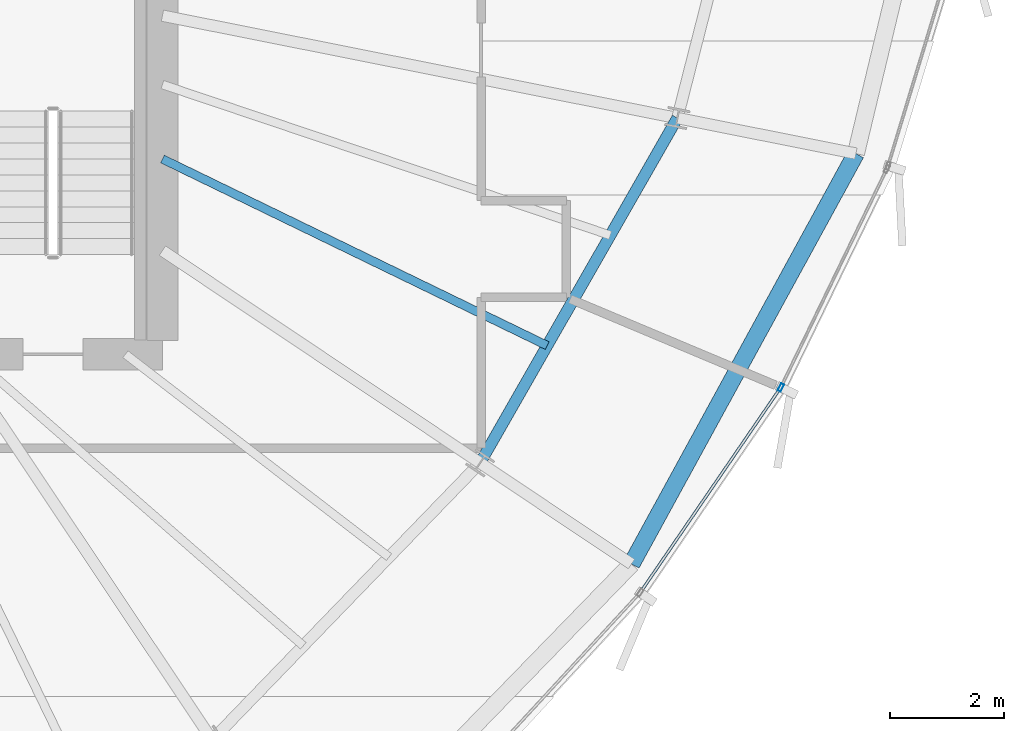
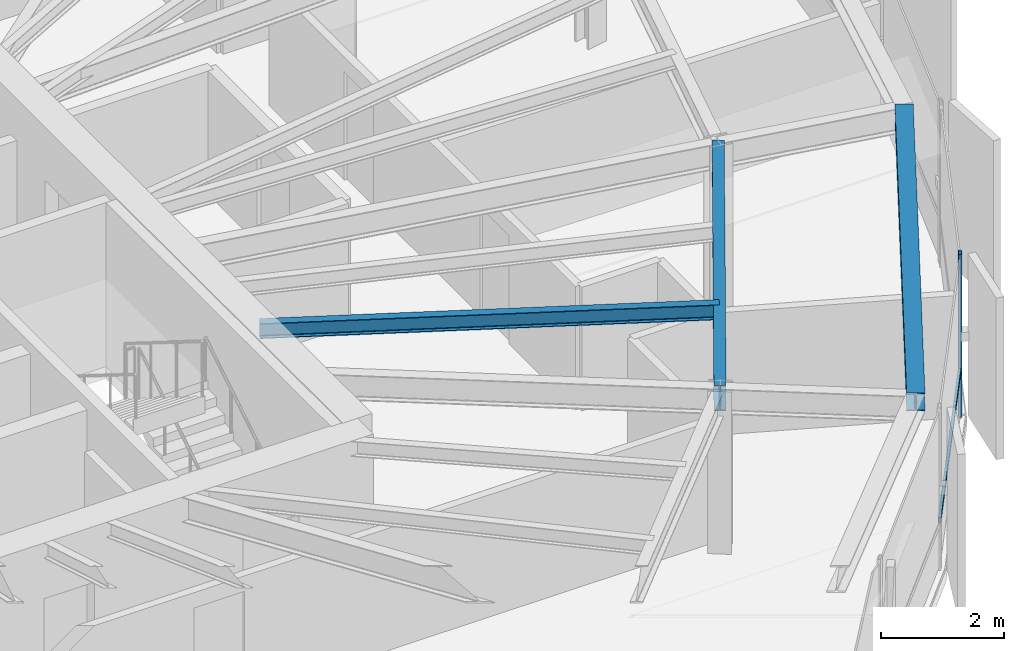
# One storey, part 13 of 34: 3 beams, 2 members, 1 element without a shape of its own.
"""IFC4 building model written with IfcOpenShell, lengths in metres."""

from ifc_helpers import new_model, si_unit, direction, frame, origin, origin_2d, place, context, subcontext, project, spatial, hollow_rectangle, i_section, extrude, source, transform, mapped, material, layer, layer_set, material_profile, profile_set, type_object, element, aggregate, save


model = new_model("IFC4")

# Units and contexts
model_context = context("Model", 3, precision=1e-05, world=origin(), true_north=direction((0.0, 1.0)))
body_context = subcontext(model_context, "Body", "Model", "MODEL_VIEW")
ifc_project = project(units=[si_unit("LENGTHUNIT", "METRE"), si_unit("AREAUNIT", "SQUARE_METRE"), si_unit("VOLUMEUNIT", "CUBIC_METRE"), si_unit("PLANEANGLEUNIT", "RADIAN"), si_unit("MASSUNIT", "GRAM", prefix="KILO"), si_unit("THERMODYNAMICTEMPERATUREUNIT", "KELVIN")], contexts=[model_context])

# Site, building, storey
site_placement = place(None, origin())
site = spatial("IfcSite", under=ifc_project, at=site_placement, CompositionType="ELEMENT")
building_placement = place(site_placement, origin())
building = spatial("IfcBuilding", under=site, at=building_placement, Name="Kethvar Cultural Tower", CompositionType="ELEMENT")
storey_placement = place(building_placement, frame((0.0, 0.0, 207.89990234375)))
storey = spatial("IfcBuildingStorey", under=building, at=storey_placement, Name="L54", CompositionType="ELEMENT", Elevation=207.89990234375)

# Beams
ifc_material_1 = material(Name="Steel S355J2", Category="steel")
ifc_material_profile_1 = material_profile(ifc_material_1, i_section(OverallWidth=0.199951171875, OverallDepth=0.5, WebThickness=0.01025390625, FlangeThickness=0.01611328125, FilletRadius=0.02099609375, at=origin_2d()), Name="Steel S355J2 — IPE500")
ifc_profile_set_1 = profile_set([ifc_material_profile_1], Name="Steel S355J2 — IPE500")
beam_type_1 = type_object("IfcBeamType", Name="BM-IPE500", PredefinedType="BEAM", material=ifc_profile_set_1)
shared_shape_1 = source(origin(), body_context, "Body", "SweptSolid", [
    extrude(i_section(OverallWidth=0.199951171875, OverallDepth=0.5, WebThickness=0.01025390625, FlangeThickness=0.01611328125, FilletRadius=0.02099609375, at=origin_2d()), origin(), (0.0, 0.0, 1.0), 6.98095703125),
])
beam_1_placement = place(storey_placement, frame((61.1826171875, 18.18994140625, 3.008056640625), z_axis=(0.496496686118, 0.868038617041, 0.0), x_axis=(-0.868038617041, 0.496496686118, 0.0)))
element("IfcBeam", 1, at=beam_1_placement, inside=storey, type_object=beam_type_1, Name="L54 Column Ring Tie Beam CR-15", PredefinedType="BEAM", context=body_context, shape_type="MappedRepresentation", body=[
    mapped(shared_shape_1, transform((0.0, 0.0, 0.0), scale=1.0)),
])
ifc_material_profile_2 = material_profile(ifc_material_1, i_section(OverallWidth=0.300048828125, OverallDepth=0.360107421875, WebThickness=0.012451171875, FlangeThickness=0.0224609375, FilletRadius=0.027099609375, at=origin_2d()), Name="Steel S355J2 — HEB360")
ifc_profile_set_2 = profile_set([ifc_material_profile_2], Name="Steel S355J2 — HEB360")
beam_type_2 = type_object("IfcBeamType", Name="BM-SP360", PredefinedType="SPANDREL", material=ifc_profile_set_2)
shared_shape_2 = source(origin(), body_context, "Body", "SweptSolid", [
    extrude(i_section(OverallWidth=0.300048828125, OverallDepth=0.360107421875, WebThickness=0.012451171875, FlangeThickness=0.0224609375, FilletRadius=0.027099609375, at=origin_2d()), origin(), (0.0, 0.0, 1.0), 8.22119140625),
])
beam_2_placement = place(storey_placement, frame((63.84326171875, 16.412109375, 3.078125), z_axis=(0.479721613821, 0.8774207504, 0.0), x_axis=(-0.8774207504, 0.479721613821, 0.0)))
element("IfcBeam", 2, at=beam_2_placement, inside=storey, type_object=beam_type_2, Name="L54 Perimeter Spandrel Beam SP-15", PredefinedType="SPANDREL", context=body_context, shape_type="MappedRepresentation", body=[
    mapped(shared_shape_2, transform((0.0, 0.0, 0.0), scale=1.0)),
])
ifc_material_profile_3 = material_profile(ifc_material_1, i_section(OverallWidth=0.14990234375, OverallDepth=0.300048828125, WebThickness=0.007080078125, FlangeThickness=0.0107421875, FilletRadius=0.014892578125, at=origin_2d()), Name="Steel S355J2 — IPE300")
ifc_profile_set_3 = profile_set([ifc_material_profile_3], Name="Steel S355J2 — IPE300")
beam_type_3 = type_object("IfcBeamType", Name="BM-J300", PredefinedType="JOIST", material=ifc_profile_set_3)
shared_shape_3 = source(origin(), body_context, "Body", "SweptSolid", [
    extrude(i_section(OverallWidth=0.14990234375, OverallDepth=0.300048828125, WebThickness=0.007080078125, FlangeThickness=0.0107421875, FilletRadius=0.014892578125, at=origin_2d()), origin(), (0.0, 0.0, 1.0), 7.5146484375),
])
beam_3_placement = place(storey_placement, frame((55.60009765625, 23.530517578125, 3.108154296875), z_axis=(0.899698132091, -0.436512624229, 0.0), x_axis=(0.436512624229, 0.899698132091, 0.0)))
element("IfcBeam", 3, at=beam_3_placement, inside=storey, type_object=beam_type_3, Name="L54 Composite Floor Joist J-15A", PredefinedType="JOIST", context=body_context, shape_type="MappedRepresentation", body=[
    mapped(shared_shape_3, transform((0.0, 0.0, 0.0), scale=1.0)),
])

# Curtain wall, members
ifc_material_2 = material(Name="Aluminium 6063-T6", Category="aluminium")
ifc_layer = layer(ifc_material_2, 0.179931640625, Name="Aluminium 6063-T6", Category="aluminium")
ifc_layer_set = layer_set([ifc_layer], Name="Aluminium 6063-T6 (180 mm)")
curtain_wall_type = type_object("IfcCurtainWallType", Name="CW-SYS-04-Z34", PredefinedType="NOTDEFINED", material=ifc_layer_set)
curtain_wall_placement = place(storey_placement, origin())
curtain_wall = element("IfcCurtainWall", 4, at=curtain_wall_placement, inside=storey, type_object=curtain_wall_type, Name="L54 Curtain Wall Run 05", PredefinedType="NOTDEFINED")
ifc_material_profile_4 = material_profile(ifc_material_2, hollow_rectangle(XDim=0.06005859375, YDim=0.139892578125, WallThickness=0.0048828125, at=origin_2d()), Name="Aluminium 6063-T6 — RHS140x60x5")
ifc_profile_set_4 = profile_set([ifc_material_profile_4], Name="Aluminium 6063-T6 — RHS140x60x5")
member_type_1 = type_object("IfcMemberType", Name="CW-SYS-04-Z34-MUL", PredefinedType="MULLION", material=ifc_profile_set_4)
shared_shape_4 = source(origin(), body_context, "Body", "SweptSolid", [
    extrude(hollow_rectangle(XDim=0.06005859375, YDim=0.139892578125, WallThickness=0.0048828125, at=origin_2d()), origin(), (0.0, 0.0, 1.0), 3.260009765625),
])
member_1_placement = place(storey_placement, frame((66.46728515625, 19.514892578125, 0.0), z_axis=(0.0, 0.0, 1.0), x_axis=(-0.899717814747, 0.43647205389, 0.0)))
member_1 = element("IfcMember", 5, at=member_1_placement, type_object=member_type_1, Name="CW-L54-R05 Mullion 6", PredefinedType="MULLION", context=body_context, shape_type="MappedRepresentation", body=[
    mapped(shared_shape_4, transform((0.0, 0.0, 0.0), scale=1.0)),
])
ifc_material_profile_5 = material_profile(ifc_material_2, hollow_rectangle(XDim=0.050048828125, YDim=0.10009765625, WallThickness=0.00390625, at=origin_2d()), Name="Aluminium 6063-T6 — RHS100x50x4")
ifc_profile_set_5 = profile_set([ifc_material_profile_5], Name="Aluminium 6063-T6 — RHS100x50x4")
member_type_2 = type_object("IfcMemberType", Name="CW-SYS-04-Z34-TRN", PredefinedType="USERDEFINED", material=ifc_profile_set_5)
shared_shape_5 = source(origin(), body_context, "Body", "SweptSolid", [
    extrude(hollow_rectangle(XDim=0.050048828125, YDim=0.10009765625, WallThickness=0.00390625, at=origin_2d()), origin(), (0.0, 0.0, 1.0), 4.30078125),
])
member_2_placement = place(storey_placement, frame((64.0205078125, 15.9453125, 0.9501953125), z_axis=(0.565123411035, 0.825006381976, 0.0), x_axis=(-0.825006381976, 0.565123411035, 0.0)))
member_2 = element("IfcMember", 6, at=member_2_placement, type_object=member_type_2, Name="CW-L54-R05 Transom 5", ObjectType="TRANSOM", PredefinedType="USERDEFINED", context=body_context, shape_type="MappedRepresentation", body=[
    mapped(shared_shape_5, transform((0.0, 0.0, 0.0), scale=1.0)),
])
aggregate(curtain_wall, [member_1, member_2])

save(model, "model.ifc")
